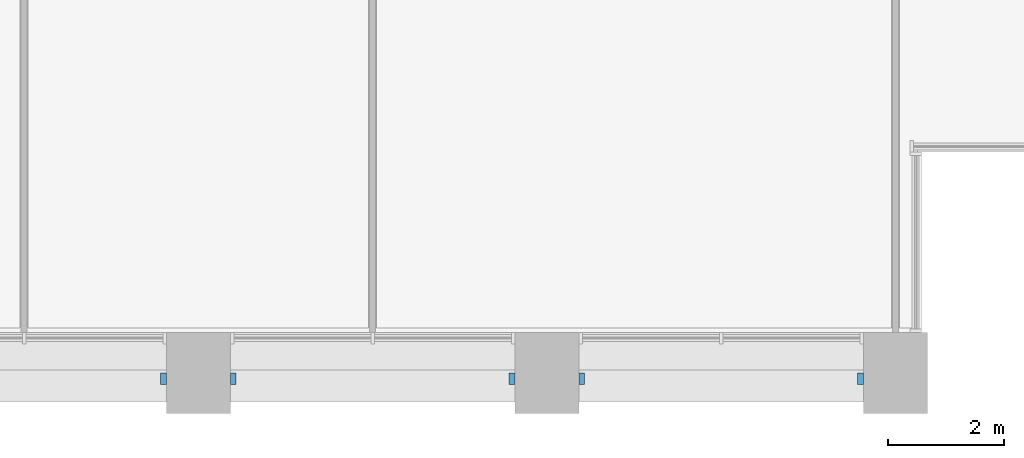
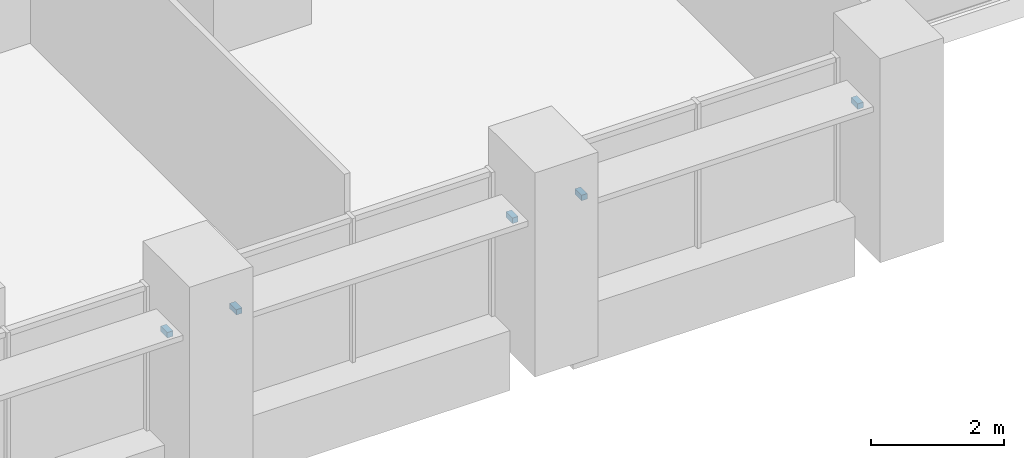
# One storey, part 16 of 18: 5 discrete accessories.
"""IFC4 building model written with IfcOpenShell, lengths in metres."""

from ifc_helpers import new_model, si_unit, direction, frame, origin, origin_2d, place, context, subcontext, project, spatial, rectangle, extrude, element, save


model = new_model("IFC4")

# Units and contexts
model_context = context("Model", 3, precision=1e-05, world=origin(), true_north=direction((0.0, 1.0)))
body_context = subcontext(model_context, "Body", "Model", "MODEL_VIEW")
ifc_project = project(units=[si_unit("LENGTHUNIT", "METRE"), si_unit("AREAUNIT", "SQUARE_METRE"), si_unit("VOLUMEUNIT", "CUBIC_METRE"), si_unit("PLANEANGLEUNIT", "RADIAN"), si_unit("MASSUNIT", "GRAM", prefix="KILO")], contexts=[model_context])

# Site, building, storey
site_placement = place(None, origin())
site = spatial("IfcSite", under=ifc_project, at=site_placement, CompositionType="ELEMENT")
building_placement = place(site_placement, origin())
building = spatial("IfcBuilding", under=site, at=building_placement, Name="Calvaro Tower", CompositionType="ELEMENT")
storey_placement = place(building_placement, frame((0.0, 0.0, 48.75)))
storey = spatial("IfcBuildingStorey", under=building, at=storey_placement, Name="L11", CompositionType="ELEMENT", Elevation=48.75)

# Discrete accessories
for number, where, z_axis, x_axis, name in (
    (1, (59.39990234375, 0.60009765625, 2.14990234375), (0.0, 0.0, 1.0), (1.0, 0.0, 0.0), "Brise-soleil bracket"),
    (2, (60.60009765625, 0.60009765625, 2.14990234375), (0.0, 0.0, 1.0), (1.0, 0.0, 0.0), "Brise-soleil bracket"),
    (3, (65.39990234375, 0.60009765625, 2.14990234375), (0.0, 0.0, 1.0), (1.0, 0.0, 0.0), "Brise-soleil bracket"),
    (4, (66.60009765625, 0.60009765625, 2.14990234375), (0.0, 0.0, 1.0), (1.0, 0.0, 0.0), "Brise-soleil bracket"),
    (5, (71.39990234375, 0.60009765625, 2.14990234375), (0.0, 0.0, 1.0), (1.0, 0.0, 0.0), "Brise-soleil bracket"),
):
    element("IfcDiscreteAccessory", number, at=place(storey_placement, frame(where, z_axis=z_axis, x_axis=x_axis)), inside=storey, Name=name, PredefinedType="BRACKET", context=body_context, shape_type="SweptSolid", body=[
        extrude(rectangle(XDim=0.10009765625, YDim=0.199951171875, at=origin_2d()), origin(), (0.0, 0.0, 1.0), 0.10009765625),
    ])

save(model, "model.ifc")
